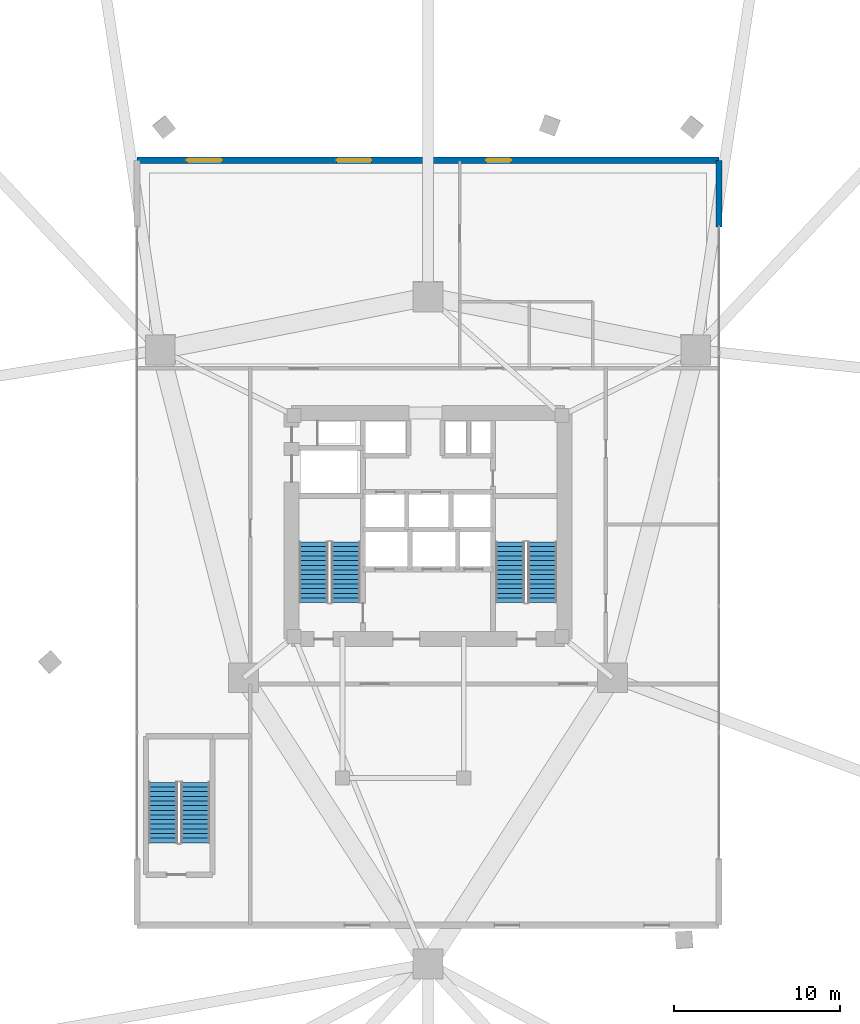
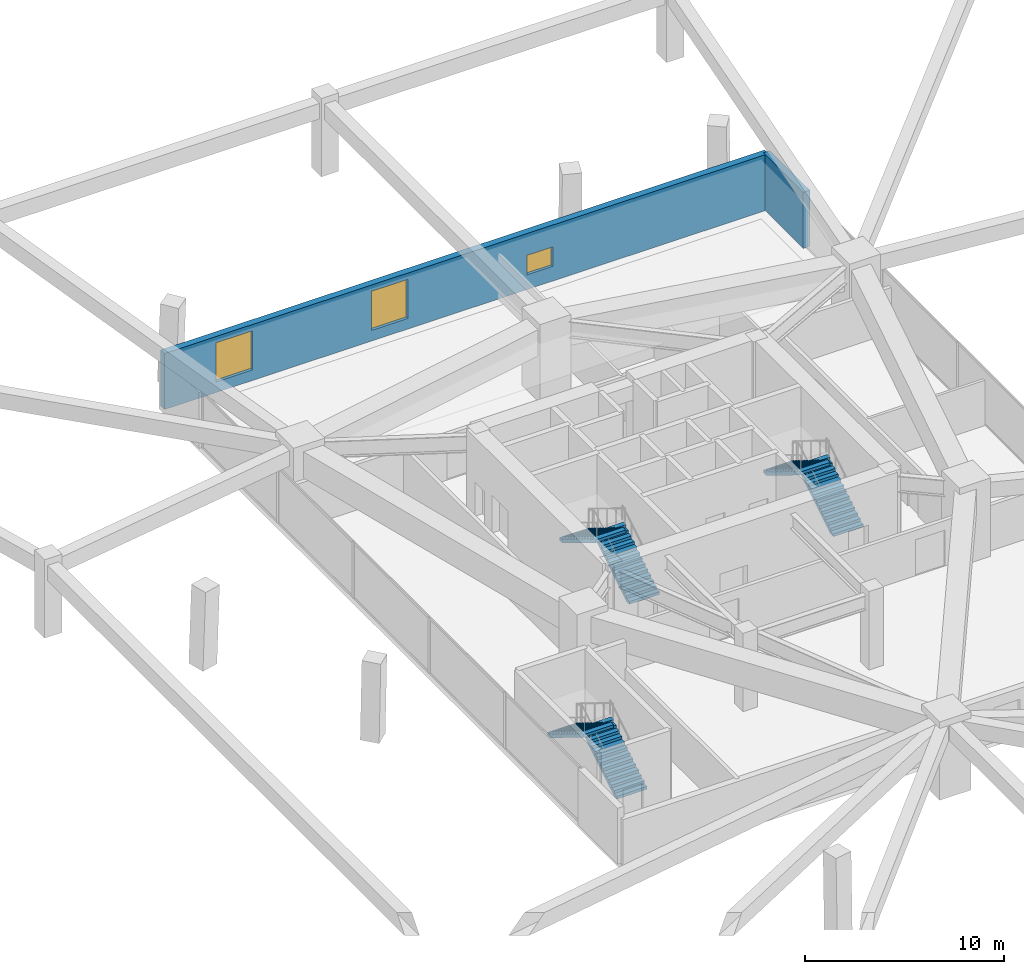
# One storey, part 13 of 15: 6 stair flights, 3 windows, 2 walls, 3 openings, 3 elements without a shape of their own.
"""IFC4 building model written with IfcOpenShell, lengths in metres."""

from ifc_helpers import new_model, si_unit, direction, frame, frame_2d, origin, place, context, subcontext, project, spatial, polyline, rectangle, outline, extrude, material, layer, layer_set, type_object, element, fill, aggregate, save


model = new_model("IFC4")

# Units and contexts
model_context = context("Model", 3, precision=1e-05, world=origin(), true_north=direction((0.0, 1.0)))
body_context = subcontext(model_context, "Body", "Model", "MODEL_VIEW")
ifc_project = project(units=[si_unit("LENGTHUNIT", "METRE"), si_unit("AREAUNIT", "SQUARE_METRE"), si_unit("VOLUMEUNIT", "CUBIC_METRE"), si_unit("PLANEANGLEUNIT", "RADIAN"), si_unit("MASSUNIT", "GRAM", prefix="KILO")], contexts=[model_context])

# Site, building, storey
site_placement = place(None, origin())
site = spatial("IfcSite", under=ifc_project, at=site_placement, CompositionType="ELEMENT")
building_placement = place(site_placement, origin())
building = spatial("IfcBuilding", under=site, at=building_placement, Name="Talyreon Biosciences Tower", CompositionType="ELEMENT")
storey_placement = place(building_placement, frame((0.0, 0.0, 5.39990234375)))
storey = spatial("IfcBuildingStorey", under=building, at=storey_placement, Name="L01", CompositionType="ELEMENT", Elevation=5.39990234375)

# Wall, openings, windows
ifc_material_1 = material(Name="Precast concrete C45/55", Category="concrete")
ifc_layer = layer(ifc_material_1, 0.3798828125)
ifc_layer_set = layer_set([ifc_layer], Name="Precast concrete C45/55")
wall_type = type_object("IfcWallType", Name="PrecastConcretePodiumWall_380", PredefinedType="STANDARD", material=ifc_layer_set)
wall_1_placement = place(storey_placement, frame((48.5, 90.0, 0.0), z_axis=(0.0, 0.0, 1.0), x_axis=(1.0, 0.0, 0.0)))
wall_1 = element("IfcWall", 1, at=wall_1_placement, inside=storey, type_object=wall_type, Name="L01 North Pavilion Wall", PredefinedType="STANDARD", context=body_context, shape_type="SweptSolid", body=[
    extrude(rectangle(XDim=35.0, YDim=0.3798828125, at=frame_2d((17.5, 0.0))), origin(), (0.0, 0.0, 1.0), 3.43017578125),
])
opening_1_placement = place(wall_1_placement, frame((3.0, 0.0, 0.64990234375)))
opening_1 = element("IfcOpeningElement", 2, at=opening_1_placement, cuts=wall_1, Name="Opening W04", PredefinedType="OPENING", context=body_context, shape_type="SweptSolid", body=[
    extrude(rectangle(XDim=2.10009765625, YDim=2.39990234375, at=frame_2d((1.050048828125, 1.199951171875))), frame((0.0, 0.199951171875, 0.0), z_axis=(0.0, -1.0, 0.0), x_axis=(1.0, 0.0, 0.0)), (0.0, 0.0, 1.0), 0.39990234375),
])
opening_2_placement = place(wall_1_placement, frame((12.0, 0.0, 0.64990234375)))
opening_2 = element("IfcOpeningElement", 3, at=opening_2_placement, cuts=wall_1, Name="Opening W04", PredefinedType="OPENING", context=body_context, shape_type="SweptSolid", body=[
    extrude(rectangle(XDim=2.10009765625, YDim=2.39990234375, at=frame_2d((1.050048828125, 1.199951171875))), frame((0.0, 0.199951171875, 0.0), z_axis=(0.0, -1.0, 0.0), x_axis=(1.0, 0.0, 0.0)), (0.0, 0.0, 1.0), 0.39990234375),
])
opening_3_placement = place(wall_1_placement, frame((21.0, 0.0, 0.89990234375)))
opening_3 = element("IfcOpeningElement", 4, at=opening_3_placement, cuts=wall_1, Name="Opening W07", PredefinedType="OPENING", context=body_context, shape_type="SweptSolid", body=[
    extrude(rectangle(XDim=1.5, YDim=1.199951171875, at=frame_2d((0.75, 0.60009765625))), frame((0.0, 0.199951171875, 0.0), z_axis=(0.0, -1.0, 0.0), x_axis=(1.0, 0.0, 0.0)), (0.0, 0.0, 1.0), 0.39990234375),
])
ifc_material_2 = material(Name="Thermally broken triple low-E aluminium window", Category="aluminium")
window_type_1 = type_object("IfcWindowType", Name="FireCommandVisionWindow_1500x1200", PartitioningType="SINGLE_PANEL", PredefinedType="WINDOW", material=ifc_material_2)
window_1_placement = place(opening_3_placement, origin())
window_1 = element("IfcWindow", 5, at=window_1_placement, inside=storey, type_object=window_type_1, Name="L01 Pavilion Window N3", OverallHeight=1.199951171875, OverallWidth=1.5, PartitioningType="SINGLE_PANEL", PredefinedType="WINDOW", context=body_context, shape_type="SweptSolid", body=[
    extrude(rectangle(XDim=1.5, YDim=1.199951171875, at=frame_2d((0.75, 0.60009765625))), frame((0.0, 0.030029296875, 0.0), z_axis=(0.0, -1.0, 0.0), x_axis=(1.0, 0.0, 0.0)), (0.0, 0.0, 1.0), 0.06005859375),
])
fill(opening_3, window_1)
window_type_2 = type_object("IfcWindowType", Name="LibraryReadingWindow_2100x2400", PartitioningType="DOUBLE_PANEL_VERTICAL", PredefinedType="WINDOW", material=ifc_material_2)
window_2_placement = place(opening_1_placement, origin())
window_2 = element("IfcWindow", 6, at=window_2_placement, inside=storey, type_object=window_type_2, Name="L01 Pavilion Window N1", OverallHeight=2.39990234375, OverallWidth=2.10009765625, PartitioningType="SINGLE_PANEL", PredefinedType="WINDOW", context=body_context, shape_type="SweptSolid", body=[
    extrude(rectangle(XDim=2.10009765625, YDim=2.39990234375, at=frame_2d((1.050048828125, 1.199951171875))), frame((0.0, 0.030029296875, 0.0), z_axis=(0.0, -1.0, 0.0), x_axis=(1.0, 0.0, 0.0)), (0.0, 0.0, 1.0), 0.06005859375),
])
fill(opening_1, window_2)
window_3_placement = place(opening_2_placement, origin())
window_3 = element("IfcWindow", 7, at=window_3_placement, inside=storey, type_object=window_type_2, Name="L01 Pavilion Window N2", OverallHeight=2.39990234375, OverallWidth=2.10009765625, PartitioningType="SINGLE_PANEL", PredefinedType="WINDOW", context=body_context, shape_type="SweptSolid", body=[
    extrude(rectangle(XDim=2.10009765625, YDim=2.39990234375, at=frame_2d((1.050048828125, 1.199951171875))), frame((0.0, 0.030029296875, 0.0), z_axis=(0.0, -1.0, 0.0), x_axis=(1.0, 0.0, 0.0)), (0.0, 0.0, 1.0), 0.06005859375),
])
fill(opening_2, window_3)

# Wall
wall_2_placement = place(storey_placement, frame((83.5, 90.0, 0.0), z_axis=(0.0, 0.0, 1.0), x_axis=(0.0, -1.0, 0.0)))
element("IfcWall", 8, at=wall_2_placement, inside=storey, type_object=wall_type, Name="L01 Corner Pier EA", PredefinedType="STANDARD", context=body_context, shape_type="SweptSolid", body=[
    extrude(rectangle(XDim=4.0, YDim=0.3798828125, at=frame_2d((2.0, 0.0))), origin(), (0.0, 0.0, 1.0), 3.43017578125),
])

# Stair, stair flights
ifc_material_3 = material(Name="Concrete C40/50", Category="concrete")
stair_type = type_object("IfcStairType", Name="DoglegEscapeStair_4800", PredefinedType="HALF_TURN_STAIR", material=ifc_material_3)
stair_1_placement = place(storey_placement, origin())
stair_1 = element("IfcStair", 9, at=stair_1_placement, inside=storey, type_object=stair_type, Name="L01 Core Escape Stair 1", PredefinedType="HALF_TURN_STAIR")
stair_flight_type = type_object("IfcStairFlightType", Name="PrecastStairFlight_4800", PredefinedType="STRAIGHT", material=ifc_material_3)
stair_flight_1_placement = place(storey_placement, frame((61.06005859375, 63.39990234375, 0.0), z_axis=(0.0, 0.0, 1.0), x_axis=(0.0, 1.0, 0.0)))
stair_flight_1 = element("IfcStairFlight", 10, at=stair_flight_1_placement, type_object=stair_flight_type, Name="ST-1 flight 1", NumberOfRisers=14, NumberOfTreads=13, PredefinedType="STRAIGHT", RiserHeight=0.171428571, TreadLength=0.28, context=body_context, shape_type="SweptSolid", body=[
    extrude(outline(polyline([(0.0, 0.0), (0.0, 0.17138671875), (0.280029296875, 0.17138671875), (0.280029296875, 0.3427734375), (0.56005859375, 0.3427734375), (0.56005859375, 0.514404296875), (0.840087890625, 0.514404296875), (0.840087890625, 0.685791015625), (1.1201171875, 0.685791015625), (1.1201171875, 0.857177734375), (1.39990234375, 0.857177734375), (1.39990234375, 1.028564453125), (1.679931640625, 1.028564453125), (1.679931640625, 1.199951171875), (1.9599609375, 1.199951171875), (1.9599609375, 1.371337890625), (2.239990234375, 1.371337890625), (2.239990234375, 1.54296875), (2.52001953125, 1.54296875), (2.52001953125, 1.71435546875), (2.800048828125, 1.71435546875), (2.800048828125, 1.8857421875), (3.080078125, 1.8857421875), (3.080078125, 2.05712890625), (3.360107421875, 2.05712890625), (3.360107421875, 2.228515625), (3.639892578125, 2.228515625), (3.639892578125, 2.39990234375), (3.639892578125, 2.052734375), (0.287109375, 0.0), (0.0, 0.0)])), frame((0.0, 0.8701171875, 0.0), z_axis=(0.0, -1.0, 0.0), x_axis=(1.0, 0.0, 0.0)), (0.0, 0.0, 1.0), 1.739990234375),
])
stair_flight_2_placement = place(storey_placement, frame((59.1201171875, 67.0400390625, 2.400146484375), z_axis=(0.0, 0.0, 1.0), x_axis=(0.0, -1.0, 0.0)))
stair_flight_2 = element("IfcStairFlight", 11, at=stair_flight_2_placement, type_object=stair_flight_type, Name="ST-1 flight 2", NumberOfRisers=14, NumberOfTreads=13, PredefinedType="STRAIGHT", RiserHeight=0.171428571, TreadLength=0.28, context=body_context, shape_type="SweptSolid", body=[
    extrude(outline(polyline([(0.0, 0.0), (0.0, 0.17138671875), (0.280029296875, 0.17138671875), (0.280029296875, 0.3427734375), (0.56005859375, 0.3427734375), (0.56005859375, 0.514404296875), (0.840087890625, 0.514404296875), (0.840087890625, 0.685791015625), (1.1201171875, 0.685791015625), (1.1201171875, 0.857177734375), (1.39990234375, 0.857177734375), (1.39990234375, 1.028564453125), (1.679931640625, 1.028564453125), (1.679931640625, 1.199951171875), (1.9599609375, 1.199951171875), (1.9599609375, 1.371337890625), (2.239990234375, 1.371337890625), (2.239990234375, 1.54296875), (2.52001953125, 1.54296875), (2.52001953125, 1.71435546875), (2.800048828125, 1.71435546875), (2.800048828125, 1.8857421875), (3.080078125, 1.8857421875), (3.080078125, 2.05712890625), (3.360107421875, 2.05712890625), (3.360107421875, 2.228515625), (3.639892578125, 2.228515625), (3.639892578125, 2.39990234375), (3.639892578125, 2.052734375), (0.287109375, 0.0), (0.0, 0.0)])), frame((0.0, 0.8701171875, 0.0), z_axis=(0.0, -1.0, 0.0), x_axis=(1.0, 0.0, 0.0)), (0.0, 0.0, 1.0), 1.739990234375),
])
aggregate(stair_1, [stair_flight_1, stair_flight_2])

stair_2_placement = place(storey_placement, origin())
stair_2 = element("IfcStair", 12, at=stair_2_placement, inside=storey, type_object=stair_type, Name="L01 Core Escape Stair 2", PredefinedType="HALF_TURN_STAIR")
stair_flight_3_placement = place(storey_placement, frame((72.8798828125, 63.39990234375, 0.0), z_axis=(0.0, 0.0, 1.0), x_axis=(0.0, 1.0, 0.0)))
stair_flight_3 = element("IfcStairFlight", 13, at=stair_flight_3_placement, type_object=stair_flight_type, Name="ST-2 flight 1", NumberOfRisers=14, NumberOfTreads=13, PredefinedType="STRAIGHT", RiserHeight=0.171428571, TreadLength=0.28, context=body_context, shape_type="SweptSolid", body=[
    extrude(outline(polyline([(0.0, 0.0), (0.0, 0.17138671875), (0.280029296875, 0.17138671875), (0.280029296875, 0.3427734375), (0.56005859375, 0.3427734375), (0.56005859375, 0.514404296875), (0.840087890625, 0.514404296875), (0.840087890625, 0.685791015625), (1.1201171875, 0.685791015625), (1.1201171875, 0.857177734375), (1.39990234375, 0.857177734375), (1.39990234375, 1.028564453125), (1.679931640625, 1.028564453125), (1.679931640625, 1.199951171875), (1.9599609375, 1.199951171875), (1.9599609375, 1.371337890625), (2.239990234375, 1.371337890625), (2.239990234375, 1.54296875), (2.52001953125, 1.54296875), (2.52001953125, 1.71435546875), (2.800048828125, 1.71435546875), (2.800048828125, 1.8857421875), (3.080078125, 1.8857421875), (3.080078125, 2.05712890625), (3.360107421875, 2.05712890625), (3.360107421875, 2.228515625), (3.639892578125, 2.228515625), (3.639892578125, 2.39990234375), (3.639892578125, 2.052734375), (0.287109375, 0.0), (0.0, 0.0)])), frame((0.0, 0.8701171875, 0.0), z_axis=(0.0, -1.0, 0.0), x_axis=(1.0, 0.0, 0.0)), (0.0, 0.0, 1.0), 1.739990234375),
])
stair_flight_4_placement = place(storey_placement, frame((70.93994140625, 67.0400390625, 2.400146484375), z_axis=(0.0, 0.0, 1.0), x_axis=(0.0, -1.0, 0.0)))
stair_flight_4 = element("IfcStairFlight", 14, at=stair_flight_4_placement, type_object=stair_flight_type, Name="ST-2 flight 2", NumberOfRisers=14, NumberOfTreads=13, PredefinedType="STRAIGHT", RiserHeight=0.171428571, TreadLength=0.28, context=body_context, shape_type="SweptSolid", body=[
    extrude(outline(polyline([(0.0, 0.0), (0.0, 0.17138671875), (0.280029296875, 0.17138671875), (0.280029296875, 0.3427734375), (0.56005859375, 0.3427734375), (0.56005859375, 0.514404296875), (0.840087890625, 0.514404296875), (0.840087890625, 0.685791015625), (1.1201171875, 0.685791015625), (1.1201171875, 0.857177734375), (1.39990234375, 0.857177734375), (1.39990234375, 1.028564453125), (1.679931640625, 1.028564453125), (1.679931640625, 1.199951171875), (1.9599609375, 1.199951171875), (1.9599609375, 1.371337890625), (2.239990234375, 1.371337890625), (2.239990234375, 1.54296875), (2.52001953125, 1.54296875), (2.52001953125, 1.71435546875), (2.800048828125, 1.71435546875), (2.800048828125, 1.8857421875), (3.080078125, 1.8857421875), (3.080078125, 2.05712890625), (3.360107421875, 2.05712890625), (3.360107421875, 2.228515625), (3.639892578125, 2.228515625), (3.639892578125, 2.39990234375), (3.639892578125, 2.052734375), (0.287109375, 0.0), (0.0, 0.0)])), frame((0.0, 0.8701171875, 0.0), z_axis=(0.0, -1.0, 0.0), x_axis=(1.0, 0.0, 0.0)), (0.0, 0.0, 1.0), 1.739990234375),
])
aggregate(stair_2, [stair_flight_3, stair_flight_4])

stair_3_placement = place(storey_placement, origin())
stair_3 = element("IfcStair", 15, at=stair_3_placement, inside=storey, type_object=stair_type, Name="L01 Podium Escape Stair 3", PredefinedType="HALF_TURN_STAIR")
stair_flight_5_placement = place(storey_placement, frame((52.010009765625, 48.949951171875, 0.0), z_axis=(0.0, 0.0, 1.0), x_axis=(0.0, 1.0, 0.0)))
stair_flight_5 = element("IfcStairFlight", 16, at=stair_flight_5_placement, type_object=stair_flight_type, Name="ST-3 flight 1", NumberOfRisers=14, NumberOfTreads=13, PredefinedType="STRAIGHT", RiserHeight=0.171428571, TreadLength=0.28, context=body_context, shape_type="SweptSolid", body=[
    extrude(outline(polyline([(0.0, 0.0), (0.0, 0.17138671875), (0.280029296875, 0.17138671875), (0.280029296875, 0.3427734375), (0.56005859375, 0.3427734375), (0.56005859375, 0.514404296875), (0.840087890625, 0.514404296875), (0.840087890625, 0.685791015625), (1.1201171875, 0.685791015625), (1.1201171875, 0.857177734375), (1.39990234375, 0.857177734375), (1.39990234375, 1.028564453125), (1.679931640625, 1.028564453125), (1.679931640625, 1.199951171875), (1.9599609375, 1.199951171875), (1.9599609375, 1.371337890625), (2.239990234375, 1.371337890625), (2.239990234375, 1.54296875), (2.52001953125, 1.54296875), (2.52001953125, 1.71435546875), (2.800048828125, 1.71435546875), (2.800048828125, 1.8857421875), (3.080078125, 1.8857421875), (3.080078125, 2.05712890625), (3.360107421875, 2.05712890625), (3.360107421875, 2.228515625), (3.639892578125, 2.228515625), (3.639892578125, 2.39990234375), (3.639892578125, 2.052734375), (0.287109375, 0.0), (0.0, 0.0)])), frame((0.0, 0.8701171875, 0.0), z_axis=(0.0, -1.0, 0.0), x_axis=(1.0, 0.0, 0.0)), (0.0, 0.0, 1.0), 1.739990234375),
])
stair_flight_6_placement = place(storey_placement, frame((50.070068359375, 52.590087890625, 2.400146484375), z_axis=(0.0, 0.0, 1.0), x_axis=(0.0, -1.0, 0.0)))
stair_flight_6 = element("IfcStairFlight", 17, at=stair_flight_6_placement, type_object=stair_flight_type, Name="ST-3 flight 2", NumberOfRisers=14, NumberOfTreads=13, PredefinedType="STRAIGHT", RiserHeight=0.171428571, TreadLength=0.28, context=body_context, shape_type="SweptSolid", body=[
    extrude(outline(polyline([(0.0, 0.0), (0.0, 0.17138671875), (0.280029296875, 0.17138671875), (0.280029296875, 0.3427734375), (0.56005859375, 0.3427734375), (0.56005859375, 0.514404296875), (0.840087890625, 0.514404296875), (0.840087890625, 0.685791015625), (1.1201171875, 0.685791015625), (1.1201171875, 0.857177734375), (1.39990234375, 0.857177734375), (1.39990234375, 1.028564453125), (1.679931640625, 1.028564453125), (1.679931640625, 1.199951171875), (1.9599609375, 1.199951171875), (1.9599609375, 1.371337890625), (2.239990234375, 1.371337890625), (2.239990234375, 1.54296875), (2.52001953125, 1.54296875), (2.52001953125, 1.71435546875), (2.800048828125, 1.71435546875), (2.800048828125, 1.8857421875), (3.080078125, 1.8857421875), (3.080078125, 2.05712890625), (3.360107421875, 2.05712890625), (3.360107421875, 2.228515625), (3.639892578125, 2.228515625), (3.639892578125, 2.39990234375), (3.639892578125, 2.052734375), (0.287109375, 0.0), (0.0, 0.0)])), frame((0.0, 0.8701171875, 0.0), z_axis=(0.0, -1.0, 0.0), x_axis=(1.0, 0.0, 0.0)), (0.0, 0.0, 1.0), 1.739990234375),
])
aggregate(stair_3, [stair_flight_5, stair_flight_6])

save(model, "model.ifc")
